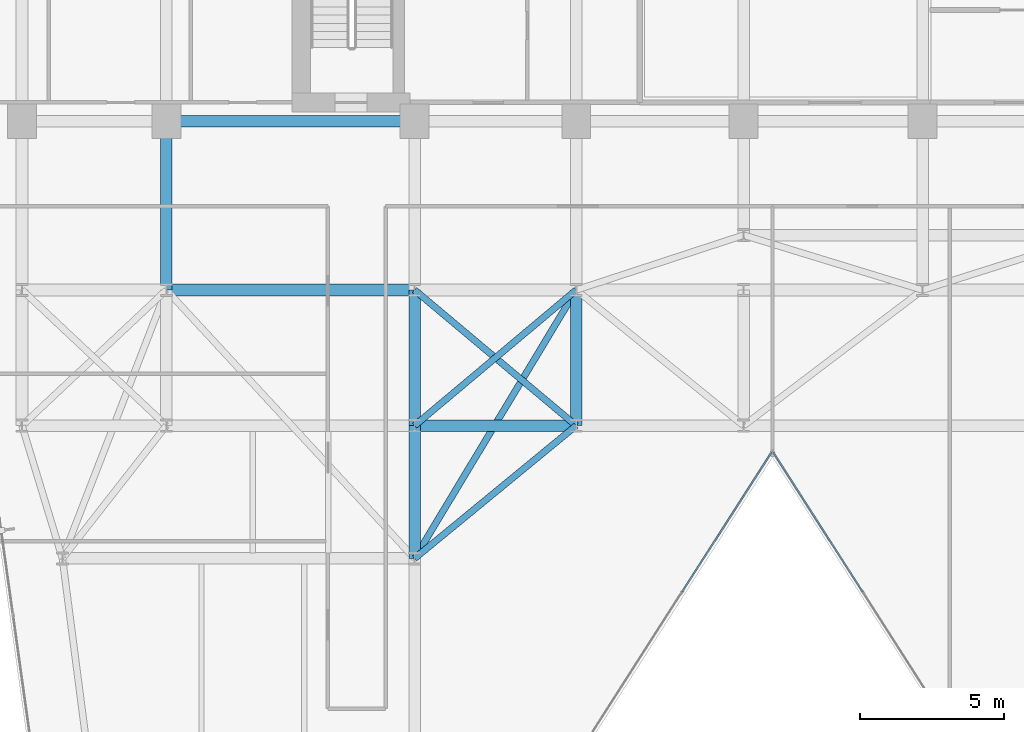
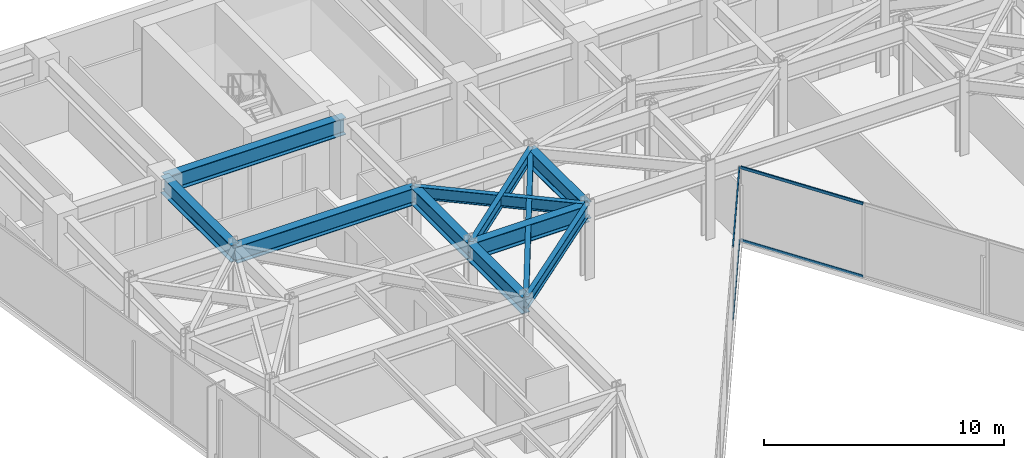
# One storey, part 12 of 26: 11 beams, 4 members, 2 elements without a shape of their own.
"""IFC4 building model written with IfcOpenShell, lengths in metres."""

import ifcopenshell
import ifcopenshell.guid

model = None  # the IFC model being written
_history = None  # IfcOwnerHistory: only IFC2X3 demands one
_inside = {}  # id of a spatial element -> (the spatial element, [elements in it])
_under = {}  # id of a project, library or spatial element -> (it, [spatial elements below it])
_declared = {}  # id of a project -> (the project, [libraries it declares])
_typed = {}  # id of a type object -> (the type object, [elements of that type])
_made_of = {}  # id of a material, layer set ... -> (it, [elements and type objects made of it])


def new_model(schema):
    """Start an empty IFC model of exactly this schema.

    Asked for "IFC4X3", IfcOpenShell would pick the latest addendum, in which some entities
    have other attributes; the version numbers below select the first issue.
    IFC2X3 requires an IfcOwnerHistory on every rooted entity: one is made here for all.
    """
    global model, _history
    if schema == "IFC4X3":
        model = ifcopenshell.file(schema_version=(4, 3, 0, 0))
    else:
        model = ifcopenshell.file(schema=schema)
    _inside.clear()
    _under.clear()
    _declared.clear()
    _typed.clear()
    _made_of.clear()
    _history = None
    if model.schema == "IFC2X3":
        org = make("IfcOrganization", Name="unknown")
        user = make(
            "IfcPersonAndOrganization",
            ThePerson=make("IfcPerson", FamilyName="unknown"),
            TheOrganization=org,
        )
        app = make(
            "IfcApplication",
            ApplicationDeveloper=org,
            Version="unknown",
            ApplicationFullName="unknown",
            ApplicationIdentifier="unknown",
        )
        _history = make(
            "IfcOwnerHistory",
            OwningUser=user,
            OwningApplication=app,
            ChangeAction="ADDED",
            CreationDate=0,
        )
    return model


def make(cls, **values):
    """One entity of the class cls with the attributes given. An attribute that is None is left unset."""
    return model.create_entity(
        cls, **{name: value for name, value in values.items() if value is not None}
    )


def rooted(cls, **values):
    """An entity with a GlobalId (a new one), such as an element, a storey or a relation."""
    return make(cls, GlobalId=ifcopenshell.guid.new(), OwnerHistory=_history, **values)


def si_unit(unit_type, name, prefix=None):
    """IfcSIUnit, for example si_unit("LENGTHUNIT", "METRE", prefix="MILLI")."""
    return make("IfcSIUnit", UnitType=unit_type, Prefix=prefix, Name=name)


def assignment(units):
    """IfcUnitAssignment: the units of a project."""
    return None if units is None else make("IfcUnitAssignment", Units=units)


def point(xyz):
    """IfcCartesianPoint."""
    return None if xyz is None else make("IfcCartesianPoint", Coordinates=xyz)


def direction(xyz):
    """IfcDirection."""
    return None if xyz is None else make("IfcDirection", DirectionRatios=xyz)


def frame(location, z_axis=None, x_axis=None):
    """IfcAxis2Placement3D, a coordinate frame: its origin and axes. An axis left out is left unset."""
    return make(
        "IfcAxis2Placement3D",
        Location=point(location),
        Axis=direction(z_axis),
        RefDirection=direction(x_axis),
    )


def frame_2d(location, x_axis=None):
    """IfcAxis2Placement2D, a coordinate frame in the plane: its origin and x axis."""
    return make(
        "IfcAxis2Placement2D", Location=point(location), RefDirection=direction(x_axis)
    )


def origin():
    """The frame at (0, 0, 0) with its axes left unset."""
    return frame((0.0, 0.0, 0.0))


def origin_2d():
    """The frame at (0, 0) in the plane with its x axis left unset."""
    return frame_2d((0.0, 0.0))


def place(relative_to, where):
    """IfcLocalPlacement: puts the frame where relative to a parent placement (None: the world)."""
    return make(
        "IfcLocalPlacement", PlacementRelTo=relative_to, RelativePlacement=where
    )


def context(
    kind, dimensions, precision=None, world=None, true_north=None, identifier=None
):
    """IfcGeometricRepresentationContext, for example the 3D "Model" context."""
    return make(
        "IfcGeometricRepresentationContext",
        ContextIdentifier=identifier,
        ContextType=kind,
        CoordinateSpaceDimension=dimensions,
        Precision=precision,
        WorldCoordinateSystem=world,
        TrueNorth=true_north,
    )


def subcontext(parent, identifier, kind, view, scale=None):
    """IfcGeometricRepresentationSubContext, for example "Body" below "Model"."""
    return make(
        "IfcGeometricRepresentationSubContext",
        ContextIdentifier=identifier,
        ContextType=kind,
        ParentContext=parent,
        TargetScale=scale,
        TargetView=view,
    )


def project(units=None, contexts=None):
    """IfcProject with its units and contexts."""
    return rooted(
        "IfcProject",
        Name="project",
        RepresentationContexts=contexts,
        UnitsInContext=assignment(units),
    )


def spatial(cls, under=None, at=None, **own):
    """A site, building, storey or space (cls), placed at a placement, below another one or the project."""
    s = rooted(cls, ObjectPlacement=at, **own)
    if under is not None:
        _under.setdefault(under.id(), (under, []))[1].append(s)
    return s


def profile(cls, at=None, kind="AREA", **sizes):
    """A parametric profile (cls). Its sizes go by their IFC names, for example OverallWidth=200.0."""
    return make(cls, ProfileType=kind, Position=at, **sizes)


def hollow_rectangle(**sizes):
    """IfcRectangleHollowProfileDef."""
    return profile("IfcRectangleHollowProfileDef", **sizes)


def i_section(**sizes):
    """IfcIShapeProfileDef."""
    return profile("IfcIShapeProfileDef", **sizes)


def extrude(swept, where, along, depth):
    """IfcExtrudedAreaSolid: the profile swept, set in the frame where, extruded along a direction by depth."""
    return make(
        "IfcExtrudedAreaSolid",
        SweptArea=swept,
        Position=where,
        ExtrudedDirection=direction(along),
        Depth=depth,
    )


def shape(context_of_items, identifier, shape_type, items):
    """IfcShapeRepresentation: the items that make up one representation, for example the "Body"."""
    return make(
        "IfcShapeRepresentation",
        ContextOfItems=context_of_items,
        RepresentationIdentifier=identifier,
        RepresentationType=shape_type,
        Items=items,
    )


def material(Name=None, Category=None):
    """IfcMaterial."""
    return make("IfcMaterial", Name=Name, Category=Category)


def layer(
    of_material, thickness, ventilated=None, Name=None, Category=None, Priority=None
):
    """IfcMaterialLayer: one layer of a wall or slab, of a material (None: an air gap)."""
    return make(
        "IfcMaterialLayer",
        Material=of_material,
        LayerThickness=thickness,
        IsVentilated=ventilated,
        Name=Name,
        Category=Category,
        Priority=Priority,
    )


def layer_set(layers, Name=None):
    """IfcMaterialLayerSet."""
    return make("IfcMaterialLayerSet", MaterialLayers=layers, LayerSetName=Name)


def material_profile(
    of_material, cross_section, Name=None, Category=None, Priority=None
):
    """IfcMaterialProfile: a cross section and its material."""
    return make(
        "IfcMaterialProfile",
        Name=Name,
        Material=of_material,
        Profile=cross_section,
        Priority=Priority,
        Category=Category,
    )


def profile_set(profiles, Name=None, composite=None):
    """IfcMaterialProfileSet."""
    return make(
        "IfcMaterialProfileSet",
        Name=Name,
        MaterialProfiles=profiles,
        CompositeProfile=composite,
    )


def made_of(thing, what):
    """Note that an element or type object is made of a material, layer set ...; save() writes the relation."""
    if what is not None:
        _made_of.setdefault(what.id(), (what, []))[1].append(thing)
    return thing


def type_object(cls, material=None, **own):
    """A type object (cls), such as IfcWallType, which elements share."""
    return made_of(rooted(cls, **own), material)


def element(
    cls,
    number,
    at=None,
    inside=None,
    cuts=None,
    type_object=None,
    material=None,
    context=None,
    identifier="Body",
    shape_type=None,
    held_by="IfcProductDefinitionShape",
    body=None,
    shapes=None,
    **own,
):
    """One element of the class cls, such as IfcWall. Its Tag is "e" and its number.

    at: its placement. inside: the storey or other place that contains it. cuts: it is an
    opening in that element (IfcRelVoidsElement). A single representation is given by context,
    identifier, shape_type and body (its items); several are given by shapes. held_by: the class
    of the entity that holds the representations. save() writes the other relations.
    """
    e = rooted(cls, Tag="e%d" % number, ObjectPlacement=at, **own)
    if body is not None:
        shapes = [shape(context, identifier, shape_type, body)]
    if shapes is not None:
        e.Representation = make(held_by, Representations=shapes)
    if inside is not None:
        _inside.setdefault(inside.id(), (inside, []))[1].append(e)
    if cuts is not None:
        rooted(
            "IfcRelVoidsElement", RelatingBuildingElement=cuts, RelatedOpeningElement=e
        )
    if type_object is not None:
        _typed.setdefault(type_object.id(), (type_object, []))[1].append(e)
    return made_of(e, material)


def aggregate(whole, parts):
    """IfcRelAggregates: a whole, such as a stair, and the parts it consists of."""
    return rooted("IfcRelAggregates", RelatingObject=whole, RelatedObjects=parts)


def save(model, path):
    """Write the relations noted so far, then the file.

    IfcRelAggregates (storeys below a building ...), IfcRelContainedInSpatialStructure (elements
    in a storey), IfcRelDefinesByType, IfcRelAssociatesMaterial and IfcRelDeclares: one each for
    every whole, place, type object, material and project.
    """
    for whole, parts in _under.values():
        aggregate(whole, parts)
    for where, things in _inside.values():
        rooted(
            "IfcRelContainedInSpatialStructure",
            RelatedElements=things,
            RelatingStructure=where,
        )
    for kind, things in _typed.values():
        rooted("IfcRelDefinesByType", RelatedObjects=things, RelatingType=kind)
    for what, things in _made_of.values():
        rooted("IfcRelAssociatesMaterial", RelatedObjects=things, RelatingMaterial=what)
    for by, libraries in _declared.values():
        rooted("IfcRelDeclares", RelatingContext=by, RelatedDefinitions=libraries)
    model.write(path)


model = new_model("IFC4")

# Units and contexts
model_context = context("Model", 3, precision=1e-05, world=origin(), true_north=direction((0.0, 1.0)))
body_context = subcontext(model_context, "Body", "Model", "MODEL_VIEW")
ifc_project = project(units=[si_unit("LENGTHUNIT", "METRE"), si_unit("AREAUNIT", "SQUARE_METRE"), si_unit("VOLUMEUNIT", "CUBIC_METRE"), si_unit("PLANEANGLEUNIT", "RADIAN"), si_unit("MASSUNIT", "GRAM", prefix="KILO")], contexts=[model_context])

# Site, building, storey
site_placement = place(None, origin())
site = spatial("IfcSite", under=ifc_project, at=site_placement, CompositionType="ELEMENT")
building_placement = place(site_placement, origin())
building = spatial("IfcBuilding", under=site, at=building_placement, Name="Kravanh Interchange Tower", CompositionType="ELEMENT")
storey_placement = place(building_placement, frame((0.0, 0.0, 140.0)))
storey = spatial("IfcBuildingStorey", under=building, at=storey_placement, Name="L33", CompositionType="ELEMENT", Elevation=140.0)

# Curtain wall, members
ifc_material_1 = material(Name="Anodised Bronze Aluminium", Category="aluminium")
ifc_layer = layer(ifc_material_1, 0.179931640625)
ifc_layer_set = layer_set([ifc_layer], Name="Unitised Curtain Wall System CW-Z2 Mid Office")
curtain_wall_type = type_object("IfcCurtainWallType", Name="Unitised Curtain Wall System CW-Z2 Mid Office", PredefinedType="NOTDEFINED", material=ifc_layer_set)
curtain_wall_1_placement = place(storey_placement, origin())
curtain_wall_1 = element("IfcCurtainWall", 1, at=curtain_wall_1_placement, inside=storey, type_object=curtain_wall_type, Name="L33 Unitised Curtain Wall CW-L33-04", PredefinedType="NOTDEFINED")
ifc_material_2 = material(Name="Anodised Bronze Aluminium", Category="aluminium")
ifc_material_profile_1 = material_profile(ifc_material_2, hollow_rectangle(XDim=0.06005859375, YDim=0.139892578125, WallThickness=0.00390625, at=origin_2d()), Name="ALU60X140X4")
ifc_profile_set_1 = profile_set([ifc_material_profile_1], Name="Anodised Bronze Aluminium")
member_type = type_object("IfcMemberType", Name="Curtain Wall Transom ALU60X140X4 Bronze", PredefinedType="USERDEFINED", material=ifc_profile_set_1)
member_1_placement = place(storey_placement, frame((42.72509765625, 21.047119140625, 0.030029296875), z_axis=(-0.53966766312, 0.841878146398, 0.0), x_axis=(-0.841878146398, -0.53966766312, 0.0)))
member_1 = element("IfcMember", 2, at=member_1_placement, type_object=member_type, Name="CW-Z2 transom 4.1", ObjectType="TRANSOM", PredefinedType="USERDEFINED", context=body_context, shape_type="SweptSolid", body=[
    extrude(hollow_rectangle(XDim=0.06005859375, YDim=0.139892578125, WallThickness=0.00390625, at=origin_2d()), origin(), (0.0, 0.0, 1.0), 5.73095703125),
])
member_2_placement = place(storey_placement, frame((42.72509765625, 21.047119140625, 3.719970703125), z_axis=(-0.53966766312, 0.841878146398, 0.0), x_axis=(-0.841878146398, -0.53966766312, 0.0)))
member_2 = element("IfcMember", 3, at=member_2_placement, type_object=member_type, Name="CW-Z2 transom 4.2", ObjectType="TRANSOM", PredefinedType="USERDEFINED", context=body_context, shape_type="SweptSolid", body=[
    extrude(hollow_rectangle(XDim=0.06005859375, YDim=0.139892578125, WallThickness=0.00390625, at=origin_2d()), origin(), (0.0, 0.0, 1.0), 5.73095703125),
])
aggregate(curtain_wall_1, [member_1, member_2])

curtain_wall_2_placement = place(storey_placement, origin())
curtain_wall_2 = element("IfcCurtainWall", 4, at=curtain_wall_2_placement, inside=storey, type_object=curtain_wall_type, Name="L33 Unitised Curtain Wall CW-L33-05", PredefinedType="NOTDEFINED")
member_3_placement = place(storey_placement, frame((39.567626953125, 25.871826171875, 0.030029296875), z_axis=(-0.53966766312, -0.841878146398, 0.0), x_axis=(0.841878146398, -0.53966766312, 0.0)))
member_3 = element("IfcMember", 5, at=member_3_placement, type_object=member_type, Name="CW-Z2 transom 1.1", ObjectType="TRANSOM", PredefinedType="USERDEFINED", context=body_context, shape_type="SweptSolid", body=[
    extrude(hollow_rectangle(XDim=0.06005859375, YDim=0.139892578125, WallThickness=0.00390625, at=origin_2d()), origin(), (0.0, 0.0, 1.0), 5.73095703125),
])
member_4_placement = place(storey_placement, frame((39.567626953125, 25.871826171875, 3.719970703125), z_axis=(-0.53966766312, -0.841878146398, 0.0), x_axis=(0.841878146398, -0.53966766312, 0.0)))
member_4 = element("IfcMember", 6, at=member_4_placement, type_object=member_type, Name="CW-Z2 transom 1.2", ObjectType="TRANSOM", PredefinedType="USERDEFINED", context=body_context, shape_type="SweptSolid", body=[
    extrude(hollow_rectangle(XDim=0.06005859375, YDim=0.139892578125, WallThickness=0.00390625, at=origin_2d()), origin(), (0.0, 0.0, 1.0), 5.73095703125),
])
aggregate(curtain_wall_2, [member_3, member_4])

# Beams
ifc_material_3 = material(Name="Structural Steel S355", Category="steel")
ifc_material_profile_2 = material_profile(ifc_material_3, i_section(OverallWidth=0.39990234375, OverallDepth=0.85595703125, WebThickness=0.018310546875, FlangeThickness=0.029296875, FilletRadius=0.02490234375, at=origin_2d()), Name="W33X201")
ifc_profile_set_2 = profile_set([ifc_material_profile_2], Name="Structural Steel S355")
beam_type_1 = type_object("IfcBeamType", Name="Floor Beam W33X201 Structural Steel S355", PredefinedType="BEAM", material=ifc_profile_set_2)
beam_1_placement = place(storey_placement, frame((27.199951171875, 37.35009765625, 3.322021484375), z_axis=(-1.0, 0.0, 0.0), x_axis=(0.0, -1.0, 0.0)))
element("IfcBeam", 7, at=beam_1_placement, inside=storey, type_object=beam_type_1, Name="L33 Primary Floor Girder 25", PredefinedType="BEAM", context=body_context, shape_type="SweptSolid", body=[
    extrude(i_section(OverallWidth=0.39990234375, OverallDepth=0.85595703125, WebThickness=0.018310546875, FlangeThickness=0.029296875, FilletRadius=0.02490234375, at=origin_2d()), origin(), (0.0, 0.0, 1.0), 8.599853515625),
])
beam_2_placement = place(storey_placement, frame((18.60009765625, 37.35009765625, 3.322021484375), z_axis=(0.0, -1.0, 0.0), x_axis=(1.0, 0.0, 0.0)))
element("IfcBeam", 8, at=beam_2_placement, inside=storey, type_object=beam_type_1, Name="L33 Primary Floor Girder 29", PredefinedType="BEAM", context=body_context, shape_type="SweptSolid", body=[
    extrude(i_section(OverallWidth=0.39990234375, OverallDepth=0.85595703125, WebThickness=0.018310546875, FlangeThickness=0.029296875, FilletRadius=0.02490234375, at=origin_2d()), origin(), (0.0, 0.0, 1.0), 5.85009765625),
])
beam_3_placement = place(storey_placement, frame((27.199951171875, 26.800048828125, 3.322021484375), z_axis=(0.0, -1.0, 0.0), x_axis=(1.0, 0.0, 0.0)))
element("IfcBeam", 9, at=beam_3_placement, inside=storey, type_object=beam_type_1, Name="L33 Primary Floor Girder 45", PredefinedType="BEAM", context=body_context, shape_type="SweptSolid", body=[
    extrude(i_section(OverallWidth=0.39990234375, OverallDepth=0.85595703125, WebThickness=0.018310546875, FlangeThickness=0.029296875, FilletRadius=0.02490234375, at=origin_2d()), origin(), (0.0, 0.0, 1.0), 4.60009765625),
])
beam_4_placement = place(storey_placement, frame((27.199951171875, 26.800048828125, 3.322021484375), z_axis=(0.0, 1.0, 0.0), x_axis=(-1.0, 0.0, 0.0)))
element("IfcBeam", 10, at=beam_4_placement, inside=storey, type_object=beam_type_1, Name="L33 Primary Floor Girder 46", PredefinedType="BEAM", context=body_context, shape_type="SweptSolid", body=[
    extrude(i_section(OverallWidth=0.39990234375, OverallDepth=0.85595703125, WebThickness=0.018310546875, FlangeThickness=0.029296875, FilletRadius=0.02490234375, at=origin_2d()), origin(), (0.0, 0.0, 1.0), 4.699951171875),
])
beam_5_placement = place(storey_placement, frame((27.199951171875, 26.800048828125, 3.322021484375), z_axis=(1.0, 0.0, 0.0), x_axis=(0.0, 1.0, 0.0)))
element("IfcBeam", 11, at=beam_5_placement, inside=storey, type_object=beam_type_1, Name="L33 Primary Floor Girder 47", PredefinedType="BEAM", context=body_context, shape_type="SweptSolid", body=[
    extrude(i_section(OverallWidth=0.39990234375, OverallDepth=0.85595703125, WebThickness=0.018310546875, FlangeThickness=0.029296875, FilletRadius=0.02490234375, at=origin_2d()), origin(), (0.0, 0.0, 1.0), 5.60009765625),
])
beam_6_placement = place(storey_placement, frame((32.800048828125, 26.800048828125, 3.322021484375), z_axis=(0.0, 1.0, 0.0), x_axis=(-1.0, 0.0, 0.0)))
element("IfcBeam", 12, at=beam_6_placement, inside=storey, type_object=beam_type_1, Name="L33 Primary Floor Girder 49", PredefinedType="BEAM", context=body_context, shape_type="SweptSolid", body=[
    extrude(i_section(OverallWidth=0.39990234375, OverallDepth=0.85595703125, WebThickness=0.018310546875, FlangeThickness=0.029296875, FilletRadius=0.02490234375, at=origin_2d()), origin(), (0.0, 0.0, 1.0), 4.699951171875),
])
beam_7_placement = place(storey_placement, frame((18.60009765625, 31.5, 3.322021484375), z_axis=(1.0, 0.0, 0.0), x_axis=(0.0, 1.0, 0.0)))
element("IfcBeam", 13, at=beam_7_placement, inside=storey, type_object=beam_type_1, Name="L33 Primary Floor Girder 71", PredefinedType="BEAM", context=body_context, shape_type="SweptSolid", body=[
    extrude(i_section(OverallWidth=0.39990234375, OverallDepth=0.85595703125, WebThickness=0.018310546875, FlangeThickness=0.029296875, FilletRadius=0.02490234375, at=origin_2d()), origin(), (0.0, 0.0, 1.0), 8.599853515625),
])
ifc_material_4 = material(Name="Structural Steel S355", Category="steel")
ifc_material_profile_3 = material_profile(ifc_material_4, i_section(OverallWidth=0.22802734375, OverallDepth=0.60791015625, WebThickness=0.01123046875, FlangeThickness=0.017333984375, FilletRadius=0.02197265625, at=origin_2d()), Name="W24X76")
ifc_profile_set_3 = profile_set([ifc_material_profile_3], Name="Structural Steel S355")
beam_type_2 = type_object("IfcBeamType", Name="Floor Spandrel W24X76 Structural Steel S355", PredefinedType="SPANDREL", material=ifc_profile_set_3)
beam_8_placement = place(storey_placement, frame((27.199951171875, 26.800048828125, 3.446044921875), z_axis=(0.765983062929, 0.642860752657, 0.0), x_axis=(-0.642860752657, 0.765983062929, 0.0)))
element("IfcBeam", 14, at=beam_8_placement, inside=storey, type_object=beam_type_2, Name="L33 Perimeter Spandrel 48", PredefinedType="SPANDREL", context=body_context, shape_type="SweptSolid", body=[
    extrude(i_section(OverallWidth=0.22802734375, OverallDepth=0.60791015625, WebThickness=0.01123046875, FlangeThickness=0.017333984375, FilletRadius=0.02197265625, at=origin_2d()), origin(), (0.0, 0.0, 1.0), 7.31103515625),
])
beam_9_placement = place(storey_placement, frame((32.800048828125, 26.800048828125, 3.446044921875), z_axis=(-0.772725074305, -0.634740860147, 0.0), x_axis=(0.634740860147, -0.772725074305, 0.0)))
element("IfcBeam", 15, at=beam_9_placement, inside=storey, type_object=beam_type_2, Name="L33 Perimeter Spandrel 51", PredefinedType="SPANDREL", context=body_context, shape_type="SweptSolid", body=[
    extrude(i_section(OverallWidth=0.22802734375, OverallDepth=0.60791015625, WebThickness=0.01123046875, FlangeThickness=0.017333984375, FilletRadius=0.02197265625, at=origin_2d()), origin(), (0.0, 0.0, 1.0), 7.247314453125),
])
beam_10_placement = place(storey_placement, frame((32.800048828125, 26.800048828125, 3.446044921875), z_axis=(-0.765983062929, 0.642860752657, 0.0), x_axis=(-0.642860752657, -0.765983062929, 0.0)))
element("IfcBeam", 16, at=beam_10_placement, inside=storey, type_object=beam_type_2, Name="L33 Perimeter Spandrel 52", PredefinedType="SPANDREL", context=body_context, shape_type="SweptSolid", body=[
    extrude(i_section(OverallWidth=0.22802734375, OverallDepth=0.60791015625, WebThickness=0.01123046875, FlangeThickness=0.017333984375, FilletRadius=0.02197265625, at=origin_2d()), origin(), (0.0, 0.0, 1.0), 7.31103515625),
])
beam_11_placement = place(storey_placement, frame((32.800048828125, 31.5, 3.446044921875), z_axis=(-0.515854375109, -0.856676288735, 0.0), x_axis=(0.856676288735, -0.515854375109, 0.0)))
element("IfcBeam", 17, at=beam_11_placement, inside=storey, type_object=beam_type_2, Name="L33 Perimeter Spandrel 80", PredefinedType="SPANDREL", context=body_context, shape_type="SweptSolid", body=[
    extrude(i_section(OverallWidth=0.22802734375, OverallDepth=0.60791015625, WebThickness=0.01123046875, FlangeThickness=0.017333984375, FilletRadius=0.02197265625, at=origin_2d()), origin(), (0.0, 0.0, 1.0), 10.85595703125),
])

save(model, "model.ifc")
